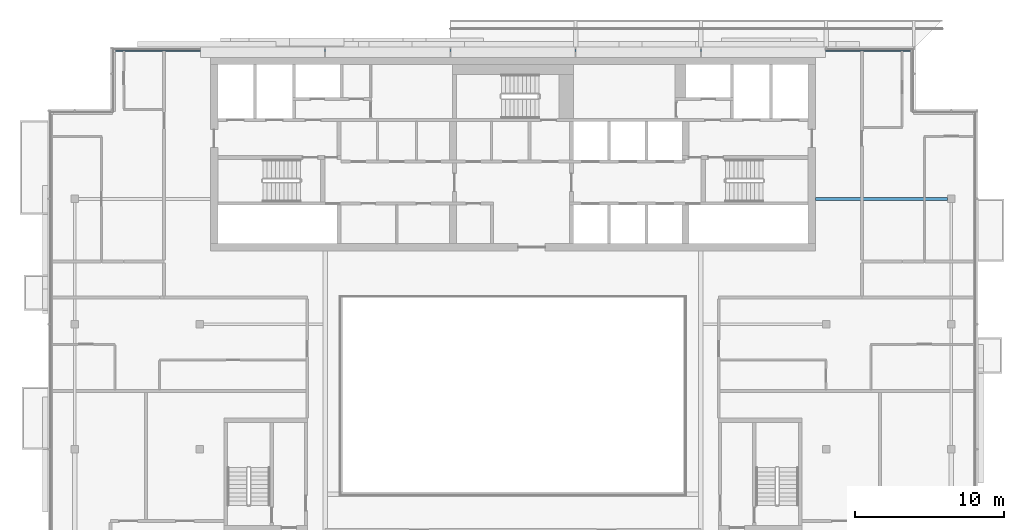
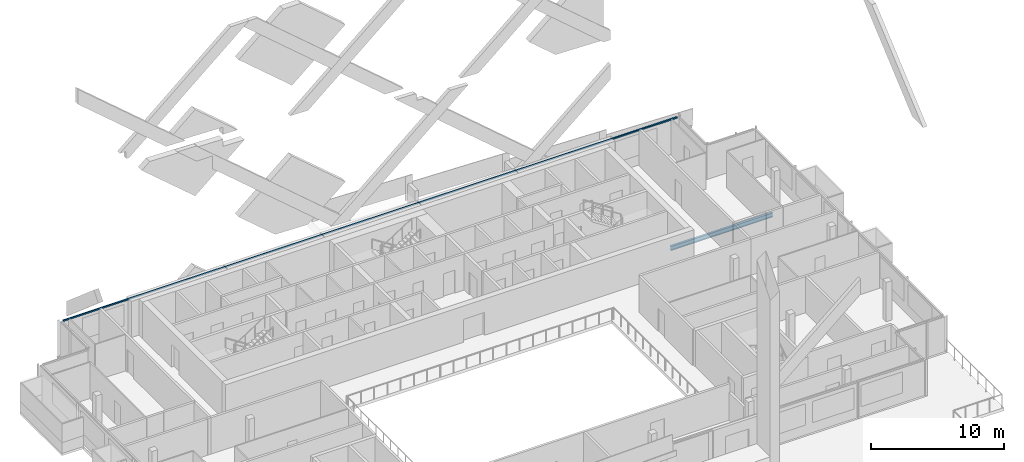
# One storey, part 7 of 22: 1 beam, 1 member, 1 element without a shape of its own.
"""IFC4 building model written with IfcOpenShell, lengths in metres."""

import ifcopenshell
import ifcopenshell.guid

model = None  # the IFC model being written
_history = None  # IfcOwnerHistory: only IFC2X3 demands one
_inside = {}  # id of a spatial element -> (the spatial element, [elements in it])
_under = {}  # id of a project, library or spatial element -> (it, [spatial elements below it])
_declared = {}  # id of a project -> (the project, [libraries it declares])
_typed = {}  # id of a type object -> (the type object, [elements of that type])
_made_of = {}  # id of a material, layer set ... -> (it, [elements and type objects made of it])


def new_model(schema):
    """Start an empty IFC model of exactly this schema.

    Asked for "IFC4X3", IfcOpenShell would pick the latest addendum, in which some entities
    have other attributes; the version numbers below select the first issue.
    IFC2X3 requires an IfcOwnerHistory on every rooted entity: one is made here for all.
    """
    global model, _history
    if schema == "IFC4X3":
        model = ifcopenshell.file(schema_version=(4, 3, 0, 0))
    else:
        model = ifcopenshell.file(schema=schema)
    _inside.clear()
    _under.clear()
    _declared.clear()
    _typed.clear()
    _made_of.clear()
    _history = None
    if model.schema == "IFC2X3":
        org = make("IfcOrganization", Name="unknown")
        user = make(
            "IfcPersonAndOrganization",
            ThePerson=make("IfcPerson", FamilyName="unknown"),
            TheOrganization=org,
        )
        app = make(
            "IfcApplication",
            ApplicationDeveloper=org,
            Version="unknown",
            ApplicationFullName="unknown",
            ApplicationIdentifier="unknown",
        )
        _history = make(
            "IfcOwnerHistory",
            OwningUser=user,
            OwningApplication=app,
            ChangeAction="ADDED",
            CreationDate=0,
        )
    return model


def make(cls, **values):
    """One entity of the class cls with the attributes given. An attribute that is None is left unset."""
    return model.create_entity(
        cls, **{name: value for name, value in values.items() if value is not None}
    )


def rooted(cls, **values):
    """An entity with a GlobalId (a new one), such as an element, a storey or a relation."""
    return make(cls, GlobalId=ifcopenshell.guid.new(), OwnerHistory=_history, **values)


def si_unit(unit_type, name, prefix=None):
    """IfcSIUnit, for example si_unit("LENGTHUNIT", "METRE", prefix="MILLI")."""
    return make("IfcSIUnit", UnitType=unit_type, Prefix=prefix, Name=name)


def assignment(units):
    """IfcUnitAssignment: the units of a project."""
    return None if units is None else make("IfcUnitAssignment", Units=units)


def point(xyz):
    """IfcCartesianPoint."""
    return None if xyz is None else make("IfcCartesianPoint", Coordinates=xyz)


def direction(xyz):
    """IfcDirection."""
    return None if xyz is None else make("IfcDirection", DirectionRatios=xyz)


def frame(location, z_axis=None, x_axis=None):
    """IfcAxis2Placement3D, a coordinate frame: its origin and axes. An axis left out is left unset."""
    return make(
        "IfcAxis2Placement3D",
        Location=point(location),
        Axis=direction(z_axis),
        RefDirection=direction(x_axis),
    )


def frame_2d(location, x_axis=None):
    """IfcAxis2Placement2D, a coordinate frame in the plane: its origin and x axis."""
    return make(
        "IfcAxis2Placement2D", Location=point(location), RefDirection=direction(x_axis)
    )


def origin():
    """The frame at (0, 0, 0) with its axes left unset."""
    return frame((0.0, 0.0, 0.0))


def origin_2d():
    """The frame at (0, 0) in the plane with its x axis left unset."""
    return frame_2d((0.0, 0.0))


def place(relative_to, where):
    """IfcLocalPlacement: puts the frame where relative to a parent placement (None: the world)."""
    return make(
        "IfcLocalPlacement", PlacementRelTo=relative_to, RelativePlacement=where
    )


def context(
    kind, dimensions, precision=None, world=None, true_north=None, identifier=None
):
    """IfcGeometricRepresentationContext, for example the 3D "Model" context."""
    return make(
        "IfcGeometricRepresentationContext",
        ContextIdentifier=identifier,
        ContextType=kind,
        CoordinateSpaceDimension=dimensions,
        Precision=precision,
        WorldCoordinateSystem=world,
        TrueNorth=true_north,
    )


def subcontext(parent, identifier, kind, view, scale=None):
    """IfcGeometricRepresentationSubContext, for example "Body" below "Model"."""
    return make(
        "IfcGeometricRepresentationSubContext",
        ContextIdentifier=identifier,
        ContextType=kind,
        ParentContext=parent,
        TargetScale=scale,
        TargetView=view,
    )


def project(units=None, contexts=None):
    """IfcProject with its units and contexts."""
    return rooted(
        "IfcProject",
        Name="project",
        RepresentationContexts=contexts,
        UnitsInContext=assignment(units),
    )


def spatial(cls, under=None, at=None, **own):
    """A site, building, storey or space (cls), placed at a placement, below another one or the project."""
    s = rooted(cls, ObjectPlacement=at, **own)
    if under is not None:
        _under.setdefault(under.id(), (under, []))[1].append(s)
    return s


def profile(cls, at=None, kind="AREA", **sizes):
    """A parametric profile (cls). Its sizes go by their IFC names, for example OverallWidth=200.0."""
    return make(cls, ProfileType=kind, Position=at, **sizes)


def rectangle(**sizes):
    """IfcRectangleProfileDef."""
    return profile("IfcRectangleProfileDef", **sizes)


def i_section(**sizes):
    """IfcIShapeProfileDef."""
    return profile("IfcIShapeProfileDef", **sizes)


def extrude(swept, where, along, depth):
    """IfcExtrudedAreaSolid: the profile swept, set in the frame where, extruded along a direction by depth."""
    return make(
        "IfcExtrudedAreaSolid",
        SweptArea=swept,
        Position=where,
        ExtrudedDirection=direction(along),
        Depth=depth,
    )


def shape(context_of_items, identifier, shape_type, items):
    """IfcShapeRepresentation: the items that make up one representation, for example the "Body"."""
    return make(
        "IfcShapeRepresentation",
        ContextOfItems=context_of_items,
        RepresentationIdentifier=identifier,
        RepresentationType=shape_type,
        Items=items,
    )


def material(Name=None, Category=None):
    """IfcMaterial."""
    return make("IfcMaterial", Name=Name, Category=Category)


def material_profile(
    of_material, cross_section, Name=None, Category=None, Priority=None
):
    """IfcMaterialProfile: a cross section and its material."""
    return make(
        "IfcMaterialProfile",
        Name=Name,
        Material=of_material,
        Profile=cross_section,
        Priority=Priority,
        Category=Category,
    )


def profile_set(profiles, Name=None, composite=None):
    """IfcMaterialProfileSet."""
    return make(
        "IfcMaterialProfileSet",
        Name=Name,
        MaterialProfiles=profiles,
        CompositeProfile=composite,
    )


def made_of(thing, what):
    """Note that an element or type object is made of a material, layer set ...; save() writes the relation."""
    if what is not None:
        _made_of.setdefault(what.id(), (what, []))[1].append(thing)
    return thing


def type_object(cls, material=None, **own):
    """A type object (cls), such as IfcWallType, which elements share."""
    return made_of(rooted(cls, **own), material)


def element(
    cls,
    number,
    at=None,
    inside=None,
    cuts=None,
    type_object=None,
    material=None,
    context=None,
    identifier="Body",
    shape_type=None,
    held_by="IfcProductDefinitionShape",
    body=None,
    shapes=None,
    **own,
):
    """One element of the class cls, such as IfcWall. Its Tag is "e" and its number.

    at: its placement. inside: the storey or other place that contains it. cuts: it is an
    opening in that element (IfcRelVoidsElement). A single representation is given by context,
    identifier, shape_type and body (its items); several are given by shapes. held_by: the class
    of the entity that holds the representations. save() writes the other relations.
    """
    e = rooted(cls, Tag="e%d" % number, ObjectPlacement=at, **own)
    if body is not None:
        shapes = [shape(context, identifier, shape_type, body)]
    if shapes is not None:
        e.Representation = make(held_by, Representations=shapes)
    if inside is not None:
        _inside.setdefault(inside.id(), (inside, []))[1].append(e)
    if cuts is not None:
        rooted(
            "IfcRelVoidsElement", RelatingBuildingElement=cuts, RelatedOpeningElement=e
        )
    if type_object is not None:
        _typed.setdefault(type_object.id(), (type_object, []))[1].append(e)
    return made_of(e, material)


def aggregate(whole, parts):
    """IfcRelAggregates: a whole, such as a stair, and the parts it consists of."""
    return rooted("IfcRelAggregates", RelatingObject=whole, RelatedObjects=parts)


def save(model, path):
    """Write the relations noted so far, then the file.

    IfcRelAggregates (storeys below a building ...), IfcRelContainedInSpatialStructure (elements
    in a storey), IfcRelDefinesByType, IfcRelAssociatesMaterial and IfcRelDeclares: one each for
    every whole, place, type object, material and project.
    """
    for whole, parts in _under.values():
        aggregate(whole, parts)
    for where, things in _inside.values():
        rooted(
            "IfcRelContainedInSpatialStructure",
            RelatedElements=things,
            RelatingStructure=where,
        )
    for kind, things in _typed.values():
        rooted("IfcRelDefinesByType", RelatedObjects=things, RelatingType=kind)
    for what, things in _made_of.values():
        rooted("IfcRelAssociatesMaterial", RelatedObjects=things, RelatingMaterial=what)
    for by, libraries in _declared.values():
        rooted("IfcRelDeclares", RelatingContext=by, RelatedDefinitions=libraries)
    model.write(path)


model = new_model("IFC4")

# Units and contexts
model_context = context("Model", 3, precision=1e-05, world=origin(), true_north=direction((0.0, 1.0)))
body_context = subcontext(model_context, "Body", "Model", "MODEL_VIEW")
ifc_project = project(units=[si_unit("LENGTHUNIT", "METRE"), si_unit("AREAUNIT", "SQUARE_METRE"), si_unit("VOLUMEUNIT", "CUBIC_METRE"), si_unit("PLANEANGLEUNIT", "RADIAN"), si_unit("MASSUNIT", "GRAM", prefix="KILO")], contexts=[model_context])

# Site, building, storey
site_placement = place(None, origin())
site = spatial("IfcSite", under=ifc_project, at=site_placement, CompositionType="ELEMENT")
building_placement = place(site_placement, origin())
building = spatial("IfcBuilding", under=site, at=building_placement, Name="Saffron Gate Tower", CompositionType="ELEMENT")
storey_placement = place(building_placement, frame((0.0, 0.0, 285.14990234375)))
storey = spatial("IfcBuildingStorey", under=building, at=storey_placement, Name="L69", CompositionType="ELEMENT", Elevation=285.14990234375)

# Beam
ifc_material_1 = material(Name="Structural steel S355", Category="steel")
ifc_material_profile_1 = material_profile(ifc_material_1, i_section(OverallWidth=0.179931640625, OverallDepth=0.39990234375, WebThickness=0.008544921875, FlangeThickness=0.013427734375, FilletRadius=0.02099609375, at=origin_2d()))
ifc_profile_set_1 = profile_set([ifc_material_profile_1], Name="Structural steel S355")
beam_type = type_object("IfcBeamType", Name="B4 IPE 400", PredefinedType="BEAM", material=ifc_profile_set_1)
beam_placement = place(storey_placement, frame((116.75, 65.39990234375, -0.47998046875), z_axis=(-1.0, 0.0, 0.0), x_axis=(0.0, -1.0, 0.0)))
element("IfcBeam", 1, at=beam_placement, inside=storey, type_object=beam_type, Name="B4 CORE TIE BEAM", PredefinedType="BEAM", context=body_context, shape_type="SweptSolid", body=[
    extrude(i_section(OverallWidth=0.179931640625, OverallDepth=0.39990234375, WebThickness=0.008544921875, FlangeThickness=0.013427734375, FilletRadius=0.02099609375, at=origin_2d()), origin(), (0.0, 0.0, 1.0), 8.85009765625),
])

# Curtain wall, member
ifc_material_2 = material(Name="Aluminium, bronze anodised", Category="aluminium")
curtain_wall_type = type_object("IfcCurtainWallType", Name="CWS3 curtain wall rear facade", PredefinedType="NOTDEFINED", material=ifc_material_2)
curtain_wall_placement = place(storey_placement, origin())
curtain_wall = element("IfcCurtainWall", 2, at=curtain_wall_placement, inside=storey, type_object=curtain_wall_type, Name="CWS3 run 7", PredefinedType="NOTDEFINED")
ifc_material_profile_2 = material_profile(ifc_material_2, rectangle(XDim=0.1201171875, YDim=0.1201171875, at=origin_2d()))
ifc_profile_set_2 = profile_set([ifc_material_profile_2], Name="Aluminium, bronze anodised")
member_type = type_object("IfcMemberType", Name="CWS3 head transom", PredefinedType="USERDEFINED", material=ifc_profile_set_2)
member_placement = place(storey_placement, frame((114.23193359375, 75.35205078125, 3.260009765625), z_axis=(-1.0, 0.0, 0.0), x_axis=(0.0, -1.0, 0.0)))
member = element("IfcMember", 3, at=member_placement, type_object=member_type, Name="CWS3 head transom", ObjectType="TRANSOM", PredefinedType="USERDEFINED", context=body_context, shape_type="SweptSolid", body=[
    extrude(rectangle(XDim=0.1201171875, YDim=0.1201171875, at=origin_2d()), origin(), (0.0, 0.0, 1.0), 53.263916015625),
])
aggregate(curtain_wall, [member])

save(model, "model.ifc")
